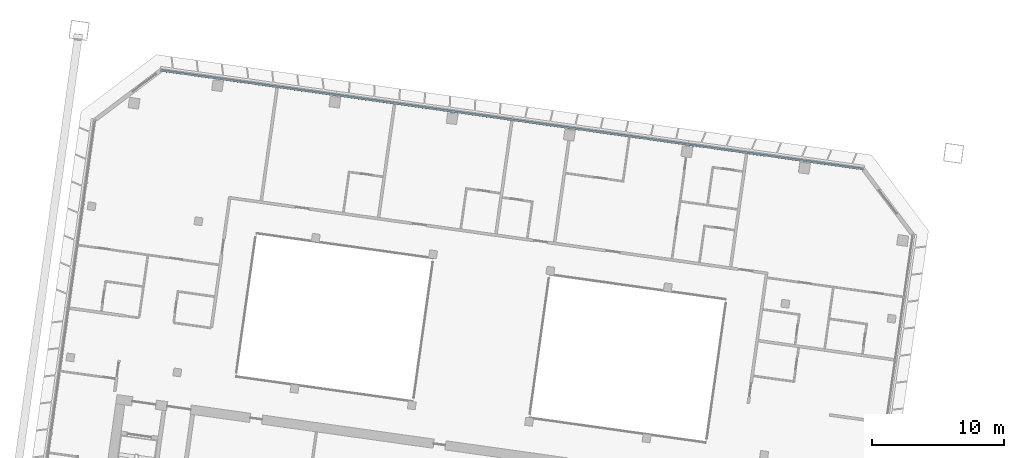
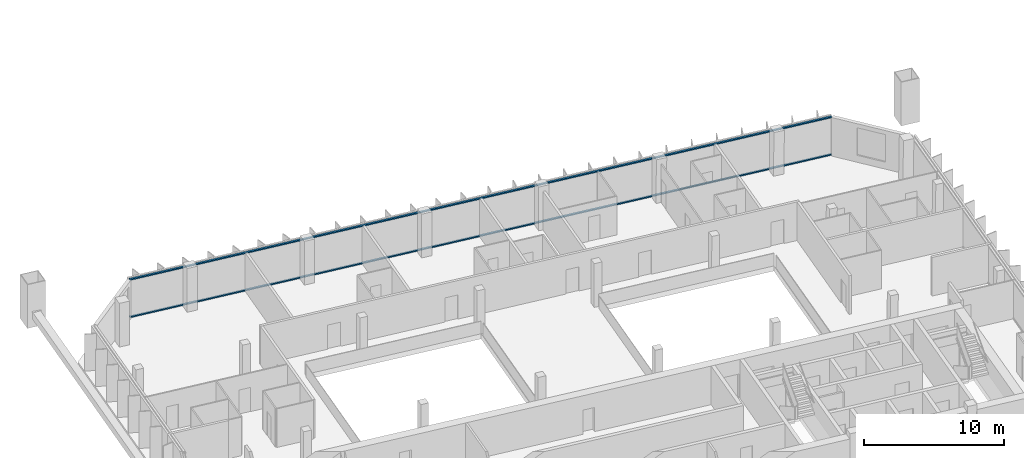
# One storey, part 5 of 31: 2 members, 1 element without a shape of its own.
"""IFC4 building model written with IfcOpenShell, lengths in metres."""

from ifc_helpers import new_model, si_unit, direction, frame, origin, origin_2d, place, context, subcontext, project, spatial, rectangle, extrude, material, material_profile, profile_set, type_object, element, aggregate, save


model = new_model("IFC4")

# Units and contexts
model_context = context("Model", 3, precision=1e-05, world=origin(), true_north=direction((0.0, 1.0)))
body_context = subcontext(model_context, "Body", "Model", "MODEL_VIEW")
ifc_project = project(units=[si_unit("LENGTHUNIT", "METRE"), si_unit("AREAUNIT", "SQUARE_METRE"), si_unit("VOLUMEUNIT", "CUBIC_METRE"), si_unit("PLANEANGLEUNIT", "RADIAN"), si_unit("MASSUNIT", "GRAM", prefix="KILO")], contexts=[model_context])

# Site, building, storey
site_placement = place(None, origin())
site = spatial("IfcSite", under=ifc_project, at=site_placement, CompositionType="ELEMENT")
building_placement = place(site_placement, origin())
building = spatial("IfcBuilding", under=site, at=building_placement, Name="Mirante Cascada Hotel Towers", CompositionType="ELEMENT")
storey_placement = place(building_placement, frame((0.0, 0.0, 157.4)))
storey = spatial("IfcBuildingStorey", under=building, at=storey_placement, Name="L36", CompositionType="ELEMENT", Elevation=157.4)

# Curtain wall, members
ifc_material_1 = material(Name="Aluminium mullion and transom frame with clear laminated glass", Category="aluminium")
curtain_wall_type = type_object("IfcCurtainWallType", Name="Ribbon curtain wall ECW1", PredefinedType="NOTDEFINED", material=ifc_material_1)
curtain_wall_placement = place(storey_placement, origin())
curtain_wall = element("IfcCurtainWall", 1, at=curtain_wall_placement, inside=storey, type_object=curtain_wall_type, Name="Front ribbon wall T1 L36", PredefinedType="NOTDEFINED")
ifc_material_2 = material(Name="Anodised aluminium extrusion", Category="aluminium")
ifc_material_profile = material_profile(ifc_material_2, rectangle(XDim=0.16, YDim=0.1, at=origin_2d()), Name="ECW1 TRANSOM 100x160")
ifc_profile_set = profile_set([ifc_material_profile], Name="Anodised aluminium extrusion")
member_type = type_object("IfcMemberType", Name="ECW1 transom 100x160", PredefinedType="USERDEFINED", material=ifc_profile_set)
member_1_placement = place(storey_placement, frame((-85.2457, 24.7995, 0.05), z_axis=(0.9902681, -0.1391726, 0.0), x_axis=(0.1391726, 0.9902681, 0.0)))
member_1 = element("IfcMember", 2, at=member_1_placement, type_object=member_type, Name="ECW1 sill transom", ObjectType="TRANSOM", PredefinedType="USERDEFINED", context=body_context, shape_type="SweptSolid", body=[
    extrude(rectangle(XDim=0.16, YDim=0.1, at=origin_2d()), origin(), (0.0, 0.0, 1.0), 53.9115),
])
member_2_placement = place(storey_placement, frame((-85.2457, 24.7995, 3.3), z_axis=(0.9902681, -0.1391726, 0.0), x_axis=(0.1391726, 0.9902681, 0.0)))
member_2 = element("IfcMember", 3, at=member_2_placement, type_object=member_type, Name="ECW1 head transom", ObjectType="TRANSOM", PredefinedType="USERDEFINED", context=body_context, shape_type="SweptSolid", body=[
    extrude(rectangle(XDim=0.16, YDim=0.1, at=origin_2d()), origin(), (0.0, 0.0, 1.0), 53.9115),
])
aggregate(curtain_wall, [member_1, member_2])

save(model, "model.ifc")
